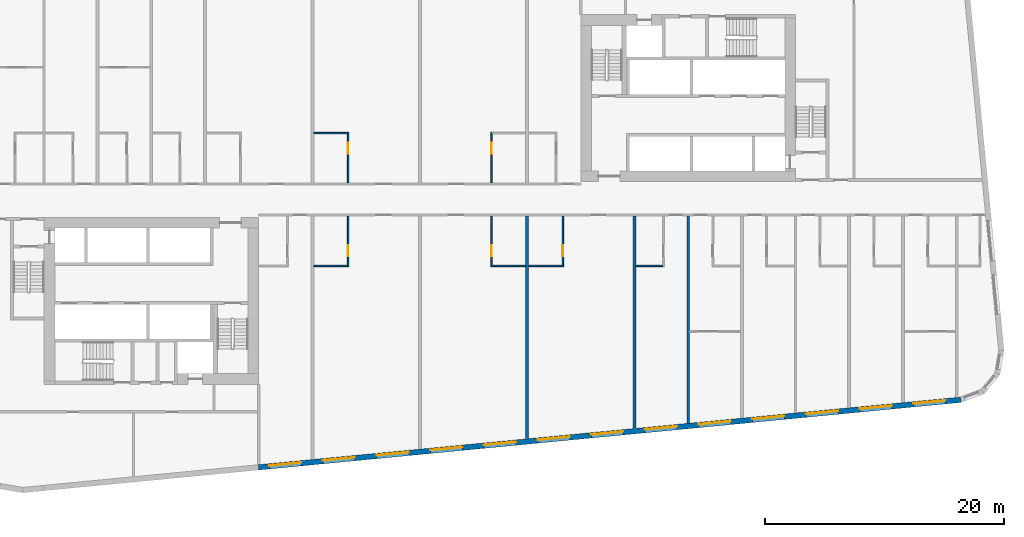
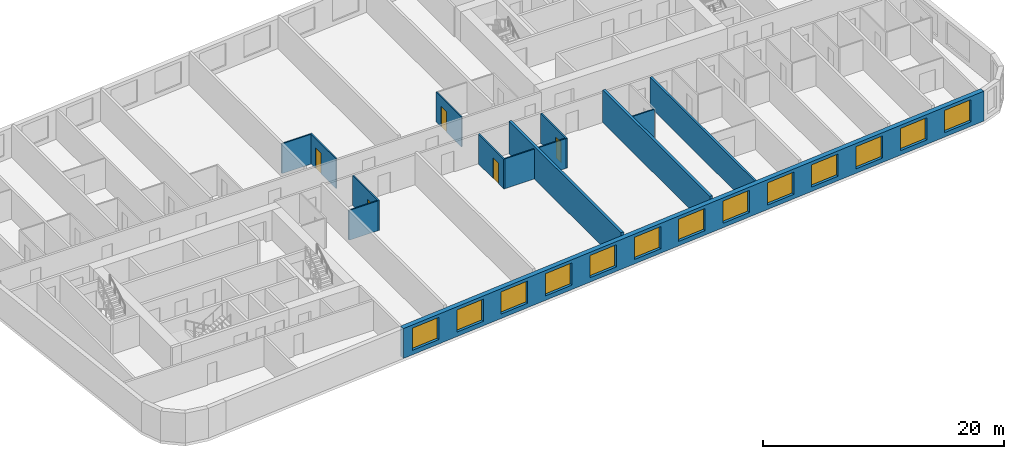
# One storey, part 4 of 12: 14 walls, 13 windows, 5 doors, 18 openings.
"""IFC4 building model written with IfcOpenShell, lengths in metres."""

from ifc_helpers import new_model, si_unit, direction, frame, frame_2d, origin, place, context, subcontext, project, spatial, rectangle, extrude, material, layer, layer_set, type_object, element, fill, save


model = new_model("IFC4")

# Units and contexts
model_context = context("Model", 3, precision=1e-05, world=origin(), true_north=direction((0.0, 1.0)))
body_context = subcontext(model_context, "Body", "Model", "MODEL_VIEW")
ifc_project = project(units=[si_unit("LENGTHUNIT", "METRE"), si_unit("AREAUNIT", "SQUARE_METRE"), si_unit("VOLUMEUNIT", "CUBIC_METRE"), si_unit("PLANEANGLEUNIT", "RADIAN"), si_unit("MASSUNIT", "GRAM", prefix="KILO")], contexts=[model_context])

# Site, building, storey
site_placement = place(None, origin())
site = spatial("IfcSite", under=ifc_project, at=site_placement, CompositionType="ELEMENT")
building_placement = place(site_placement, origin())
building = spatial("IfcBuilding", under=site, at=building_placement, Name="Kajstack Hotel Tower", CompositionType="ELEMENT")
storey_placement = place(building_placement, frame((0.0, 0.0, 127.300048828125)))
storey = spatial("IfcBuildingStorey", under=building, at=storey_placement, Name="L28", CompositionType="ELEMENT", Elevation=127.300048828125)

# Wall
ifc_material_1 = material(Name="Twin-frame gypsum board on steel studs, mineral wool", Category="steel")
ifc_layer_1 = layer(ifc_material_1, 0.199951171875)
ifc_layer_set_1 = layer_set([ifc_layer_1], Name="Demising wall 200")
wall_type_1 = type_object("IfcWallType", Name="Demising wall 200", PredefinedType="PARTITIONING", material=ifc_layer_set_1)
wall_1_placement = place(storey_placement, frame((22.5, -18.76611328125, 0.0), z_axis=(0.0, 0.0, 1.0), x_axis=(0.0, 1.0, 0.0)))
element("IfcWall", 1, at=wall_1_placement, inside=storey, type_object=wall_type_1, Name="G-wall-L28-035", PredefinedType="PARTITIONING", context=body_context, shape_type="SweptSolid", body=[
    extrude(rectangle(XDim=17.3662109375, YDim=0.199951171875, at=frame_2d((8.68310546875, 0.0))), origin(), (0.0, 0.0, 1.0), 3.02001953125),
])

# Wall, openings, windows
ifc_material_2 = material(Name="Terracotta-faced brick masonry", Category="masonry")
ifc_layer_2 = layer(ifc_material_2, 0.449951171875)
ifc_layer_set_2 = layer_set([ifc_layer_2], Name="EW-TERRA")
wall_type_2 = type_object("IfcWallType", Name="EW-TERRA", PredefinedType="SOLIDWALL", material=ifc_layer_set_2)
wall_2_placement = place(storey_placement, frame((-13.521484375, -22.46044921875, 0.0), z_axis=(0.0, 0.0, 1.0), x_axis=(0.995396096335, 0.095846812164, 0.0)))
wall_2 = element("IfcWall", 2, at=wall_2_placement, inside=storey, type_object=wall_type_2, Name="E-wall-L28-04-02", PredefinedType="SOLIDWALL", context=body_context, shape_type="SweptSolid", body=[
    extrude(rectangle(XDim=59.15087890625, YDim=0.449951171875, at=frame_2d((29.575439453125, 0.0))), origin(), (0.0, 0.0, 1.0), 3.02001953125),
])
opening_1_placement = place(wall_2_placement, frame((0.910400390625, 0.0, 0.449951171875)))
opening_1 = element("IfcOpeningElement", 3, at=opening_1_placement, cuts=wall_2, Name="Opening W1", PredefinedType="OPENING", context=body_context, shape_type="SweptSolid", body=[
    extrude(rectangle(XDim=2.699951171875, YDim=2.25, at=frame_2d((1.35009765625, 1.125))), frame((0.0, 0.23486328125, 0.0), z_axis=(0.0, -1.0, 0.0), x_axis=(1.0, 0.0, 0.0)), (0.0, 0.0, 1.0), 0.469970703125),
])
opening_2_placement = place(wall_2_placement, frame((5.43115234375, 0.0, 0.449951171875)))
opening_2 = element("IfcOpeningElement", 4, at=opening_2_placement, cuts=wall_2, Name="Opening W1", PredefinedType="OPENING", context=body_context, shape_type="SweptSolid", body=[
    extrude(rectangle(XDim=2.699951171875, YDim=2.25, at=frame_2d((1.35009765625, 1.125))), frame((0.0, 0.23486328125, 0.0), z_axis=(0.0, -1.0, 0.0), x_axis=(1.0, 0.0, 0.0)), (0.0, 0.0, 1.0), 0.469970703125),
])
opening_3_placement = place(wall_2_placement, frame((9.951904296875, 0.0, 0.449951171875)))
opening_3 = element("IfcOpeningElement", 5, at=opening_3_placement, cuts=wall_2, Name="Opening W1", PredefinedType="OPENING", context=body_context, shape_type="SweptSolid", body=[
    extrude(rectangle(XDim=2.699951171875, YDim=2.25, at=frame_2d((1.35009765625, 1.125))), frame((0.0, 0.23486328125, 0.0), z_axis=(0.0, -1.0, 0.0), x_axis=(1.0, 0.0, 0.0)), (0.0, 0.0, 1.0), 0.469970703125),
])
opening_4_placement = place(wall_2_placement, frame((14.472900390625, 0.0, 0.449951171875)))
opening_4 = element("IfcOpeningElement", 6, at=opening_4_placement, cuts=wall_2, Name="Opening W1", PredefinedType="OPENING", context=body_context, shape_type="SweptSolid", body=[
    extrude(rectangle(XDim=2.699951171875, YDim=2.25, at=frame_2d((1.35009765625, 1.125))), frame((0.0, 0.23486328125, 0.0), z_axis=(0.0, -1.0, 0.0), x_axis=(1.0, 0.0, 0.0)), (0.0, 0.0, 1.0), 0.469970703125),
])
opening_5_placement = place(wall_2_placement, frame((18.99365234375, 0.0, 0.449951171875)))
opening_5 = element("IfcOpeningElement", 7, at=opening_5_placement, cuts=wall_2, Name="Opening W1", PredefinedType="OPENING", context=body_context, shape_type="SweptSolid", body=[
    extrude(rectangle(XDim=2.699951171875, YDim=2.25, at=frame_2d((1.35009765625, 1.125))), frame((0.0, 0.23486328125, 0.0), z_axis=(0.0, -1.0, 0.0), x_axis=(1.0, 0.0, 0.0)), (0.0, 0.0, 1.0), 0.469970703125),
])
opening_6_placement = place(wall_2_placement, frame((23.514404296875, 0.0, 0.449951171875)))
opening_6 = element("IfcOpeningElement", 8, at=opening_6_placement, cuts=wall_2, Name="Opening W1", PredefinedType="OPENING", context=body_context, shape_type="SweptSolid", body=[
    extrude(rectangle(XDim=2.699951171875, YDim=2.25, at=frame_2d((1.35009765625, 1.125))), frame((0.0, 0.23486328125, 0.0), z_axis=(0.0, -1.0, 0.0), x_axis=(1.0, 0.0, 0.0)), (0.0, 0.0, 1.0), 0.469970703125),
])
opening_7_placement = place(wall_2_placement, frame((28.035400390625, 0.0, 0.449951171875)))
opening_7 = element("IfcOpeningElement", 9, at=opening_7_placement, cuts=wall_2, Name="Opening W1", PredefinedType="OPENING", context=body_context, shape_type="SweptSolid", body=[
    extrude(rectangle(XDim=2.699951171875, YDim=2.25, at=frame_2d((1.35009765625, 1.125))), frame((0.0, 0.23486328125, 0.0), z_axis=(0.0, -1.0, 0.0), x_axis=(1.0, 0.0, 0.0)), (0.0, 0.0, 1.0), 0.469970703125),
])
opening_8_placement = place(wall_2_placement, frame((32.55615234375, 0.0, 0.449951171875)))
opening_8 = element("IfcOpeningElement", 10, at=opening_8_placement, cuts=wall_2, Name="Opening W1", PredefinedType="OPENING", context=body_context, shape_type="SweptSolid", body=[
    extrude(rectangle(XDim=2.699951171875, YDim=2.25, at=frame_2d((1.35009765625, 1.125))), frame((0.0, 0.23486328125, 0.0), z_axis=(0.0, -1.0, 0.0), x_axis=(1.0, 0.0, 0.0)), (0.0, 0.0, 1.0), 0.469970703125),
])
opening_9_placement = place(wall_2_placement, frame((37.076904296875, 0.0, 0.449951171875)))
opening_9 = element("IfcOpeningElement", 11, at=opening_9_placement, cuts=wall_2, Name="Opening W1", PredefinedType="OPENING", context=body_context, shape_type="SweptSolid", body=[
    extrude(rectangle(XDim=2.699951171875, YDim=2.25, at=frame_2d((1.35009765625, 1.125))), frame((0.0, 0.23486328125, 0.0), z_axis=(0.0, -1.0, 0.0), x_axis=(1.0, 0.0, 0.0)), (0.0, 0.0, 1.0), 0.469970703125),
])
opening_10_placement = place(wall_2_placement, frame((41.59765625, 0.0, 0.449951171875)))
opening_10 = element("IfcOpeningElement", 12, at=opening_10_placement, cuts=wall_2, Name="Opening W1", PredefinedType="OPENING", context=body_context, shape_type="SweptSolid", body=[
    extrude(rectangle(XDim=2.699951171875, YDim=2.25, at=frame_2d((1.35009765625, 1.125))), frame((0.0, 0.23486328125, 0.0), z_axis=(0.0, -1.0, 0.0), x_axis=(1.0, 0.0, 0.0)), (0.0, 0.0, 1.0), 0.469970703125),
])
opening_11_placement = place(wall_2_placement, frame((46.118408203125, 0.0, 0.449951171875)))
opening_11 = element("IfcOpeningElement", 13, at=opening_11_placement, cuts=wall_2, Name="Opening W1", PredefinedType="OPENING", context=body_context, shape_type="SweptSolid", body=[
    extrude(rectangle(XDim=2.699951171875, YDim=2.25, at=frame_2d((1.35009765625, 1.125))), frame((0.0, 0.23486328125, 0.0), z_axis=(0.0, -1.0, 0.0), x_axis=(1.0, 0.0, 0.0)), (0.0, 0.0, 1.0), 0.469970703125),
])
opening_12_placement = place(wall_2_placement, frame((50.639404296875, 0.0, 0.449951171875)))
opening_12 = element("IfcOpeningElement", 14, at=opening_12_placement, cuts=wall_2, Name="Opening W1", PredefinedType="OPENING", context=body_context, shape_type="SweptSolid", body=[
    extrude(rectangle(XDim=2.699951171875, YDim=2.25, at=frame_2d((1.35009765625, 1.125))), frame((0.0, 0.23486328125, 0.0), z_axis=(0.0, -1.0, 0.0), x_axis=(1.0, 0.0, 0.0)), (0.0, 0.0, 1.0), 0.469970703125),
])
opening_13_placement = place(wall_2_placement, frame((55.149658203125, 0.0, 0.449951171875)))
opening_13 = element("IfcOpeningElement", 15, at=opening_13_placement, cuts=wall_2, Name="Opening W1", PredefinedType="OPENING", context=body_context, shape_type="SweptSolid", body=[
    extrude(rectangle(XDim=2.699951171875, YDim=2.25, at=frame_2d((1.35009765625, 1.125))), frame((0.0, 0.23486328125, 0.0), z_axis=(0.0, -1.0, 0.0), x_axis=(1.0, 0.0, 0.0)), (0.0, 0.0, 1.0), 0.469970703125),
])
ifc_material_3 = material(Name="Timber-aluminium window, triple glazed", Category="wood")
window_type = type_object("IfcWindowType", Name="WG1", PartitioningType="SINGLE_PANEL", PredefinedType="WINDOW", material=ifc_material_3)
window_1_placement = place(opening_1_placement, origin())
window_1 = element("IfcWindow", 16, at=window_1_placement, inside=storey, type_object=window_type, Name="Window W1 L28-04", OverallHeight=2.25, OverallWidth=2.699951171875, PartitioningType="SINGLE_PANEL", PredefinedType="WINDOW", context=body_context, shape_type="SweptSolid", body=[
    extrude(rectangle(XDim=2.699951171875, YDim=2.25, at=frame_2d((1.35009765625, 1.125))), frame((0.0, 0.090087890625, 0.0), z_axis=(0.0, -1.0, 0.0), x_axis=(1.0, 0.0, 0.0)), (0.0, 0.0, 1.0), 0.06005859375),
])
fill(opening_1, window_1)
window_2_placement = place(opening_2_placement, origin())
window_2 = element("IfcWindow", 17, at=window_2_placement, inside=storey, type_object=window_type, Name="Window W1 L28-04", OverallHeight=2.25, OverallWidth=2.699951171875, PartitioningType="SINGLE_PANEL", PredefinedType="WINDOW", context=body_context, shape_type="SweptSolid", body=[
    extrude(rectangle(XDim=2.699951171875, YDim=2.25, at=frame_2d((1.35009765625, 1.125))), frame((0.0, 0.090087890625, 0.0), z_axis=(0.0, -1.0, 0.0), x_axis=(1.0, 0.0, 0.0)), (0.0, 0.0, 1.0), 0.06005859375),
])
fill(opening_2, window_2)
window_3_placement = place(opening_3_placement, origin())
window_3 = element("IfcWindow", 18, at=window_3_placement, inside=storey, type_object=window_type, Name="Window W1 L28-04", OverallHeight=2.25, OverallWidth=2.699951171875, PartitioningType="SINGLE_PANEL", PredefinedType="WINDOW", context=body_context, shape_type="SweptSolid", body=[
    extrude(rectangle(XDim=2.699951171875, YDim=2.25, at=frame_2d((1.35009765625, 1.125))), frame((0.0, 0.090087890625, 0.0), z_axis=(0.0, -1.0, 0.0), x_axis=(1.0, 0.0, 0.0)), (0.0, 0.0, 1.0), 0.06005859375),
])
fill(opening_3, window_3)
window_4_placement = place(opening_4_placement, origin())
window_4 = element("IfcWindow", 19, at=window_4_placement, inside=storey, type_object=window_type, Name="Window W1 L28-04", OverallHeight=2.25, OverallWidth=2.699951171875, PartitioningType="SINGLE_PANEL", PredefinedType="WINDOW", context=body_context, shape_type="SweptSolid", body=[
    extrude(rectangle(XDim=2.699951171875, YDim=2.25, at=frame_2d((1.35009765625, 1.125))), frame((0.0, 0.090087890625, 0.0), z_axis=(0.0, -1.0, 0.0), x_axis=(1.0, 0.0, 0.0)), (0.0, 0.0, 1.0), 0.06005859375),
])
fill(opening_4, window_4)
window_5_placement = place(opening_5_placement, origin())
window_5 = element("IfcWindow", 20, at=window_5_placement, inside=storey, type_object=window_type, Name="Window W1 L28-04", OverallHeight=2.25, OverallWidth=2.699951171875, PartitioningType="SINGLE_PANEL", PredefinedType="WINDOW", context=body_context, shape_type="SweptSolid", body=[
    extrude(rectangle(XDim=2.699951171875, YDim=2.25, at=frame_2d((1.35009765625, 1.125))), frame((0.0, 0.090087890625, 0.0), z_axis=(0.0, -1.0, 0.0), x_axis=(1.0, 0.0, 0.0)), (0.0, 0.0, 1.0), 0.06005859375),
])
fill(opening_5, window_5)
window_6_placement = place(opening_6_placement, origin())
window_6 = element("IfcWindow", 21, at=window_6_placement, inside=storey, type_object=window_type, Name="Window W1 L28-04", OverallHeight=2.25, OverallWidth=2.699951171875, PartitioningType="SINGLE_PANEL", PredefinedType="WINDOW", context=body_context, shape_type="SweptSolid", body=[
    extrude(rectangle(XDim=2.699951171875, YDim=2.25, at=frame_2d((1.35009765625, 1.125))), frame((0.0, 0.090087890625, 0.0), z_axis=(0.0, -1.0, 0.0), x_axis=(1.0, 0.0, 0.0)), (0.0, 0.0, 1.0), 0.06005859375),
])
fill(opening_6, window_6)
window_7_placement = place(opening_7_placement, origin())
window_7 = element("IfcWindow", 22, at=window_7_placement, inside=storey, type_object=window_type, Name="Window W1 L28-04", OverallHeight=2.25, OverallWidth=2.699951171875, PartitioningType="SINGLE_PANEL", PredefinedType="WINDOW", context=body_context, shape_type="SweptSolid", body=[
    extrude(rectangle(XDim=2.699951171875, YDim=2.25, at=frame_2d((1.35009765625, 1.125))), frame((0.0, 0.090087890625, 0.0), z_axis=(0.0, -1.0, 0.0), x_axis=(1.0, 0.0, 0.0)), (0.0, 0.0, 1.0), 0.06005859375),
])
fill(opening_7, window_7)
window_8_placement = place(opening_8_placement, origin())
window_8 = element("IfcWindow", 23, at=window_8_placement, inside=storey, type_object=window_type, Name="Window W1 L28-04", OverallHeight=2.25, OverallWidth=2.699951171875, PartitioningType="SINGLE_PANEL", PredefinedType="WINDOW", context=body_context, shape_type="SweptSolid", body=[
    extrude(rectangle(XDim=2.699951171875, YDim=2.25, at=frame_2d((1.35009765625, 1.125))), frame((0.0, 0.090087890625, 0.0), z_axis=(0.0, -1.0, 0.0), x_axis=(1.0, 0.0, 0.0)), (0.0, 0.0, 1.0), 0.06005859375),
])
fill(opening_8, window_8)
window_9_placement = place(opening_9_placement, origin())
window_9 = element("IfcWindow", 24, at=window_9_placement, inside=storey, type_object=window_type, Name="Window W1 L28-04", OverallHeight=2.25, OverallWidth=2.699951171875, PartitioningType="SINGLE_PANEL", PredefinedType="WINDOW", context=body_context, shape_type="SweptSolid", body=[
    extrude(rectangle(XDim=2.699951171875, YDim=2.25, at=frame_2d((1.35009765625, 1.125))), frame((0.0, 0.090087890625, 0.0), z_axis=(0.0, -1.0, 0.0), x_axis=(1.0, 0.0, 0.0)), (0.0, 0.0, 1.0), 0.06005859375),
])
fill(opening_9, window_9)
window_10_placement = place(opening_10_placement, origin())
window_10 = element("IfcWindow", 25, at=window_10_placement, inside=storey, type_object=window_type, Name="Window W1 L28-04", OverallHeight=2.25, OverallWidth=2.699951171875, PartitioningType="SINGLE_PANEL", PredefinedType="WINDOW", context=body_context, shape_type="SweptSolid", body=[
    extrude(rectangle(XDim=2.699951171875, YDim=2.25, at=frame_2d((1.35009765625, 1.125))), frame((0.0, 0.090087890625, 0.0), z_axis=(0.0, -1.0, 0.0), x_axis=(1.0, 0.0, 0.0)), (0.0, 0.0, 1.0), 0.06005859375),
])
fill(opening_10, window_10)
window_11_placement = place(opening_11_placement, origin())
window_11 = element("IfcWindow", 26, at=window_11_placement, inside=storey, type_object=window_type, Name="Window W1 L28-04", OverallHeight=2.25, OverallWidth=2.699951171875, PartitioningType="SINGLE_PANEL", PredefinedType="WINDOW", context=body_context, shape_type="SweptSolid", body=[
    extrude(rectangle(XDim=2.699951171875, YDim=2.25, at=frame_2d((1.35009765625, 1.125))), frame((0.0, 0.090087890625, 0.0), z_axis=(0.0, -1.0, 0.0), x_axis=(1.0, 0.0, 0.0)), (0.0, 0.0, 1.0), 0.06005859375),
])
fill(opening_11, window_11)
window_12_placement = place(opening_12_placement, origin())
window_12 = element("IfcWindow", 27, at=window_12_placement, inside=storey, type_object=window_type, Name="Window W1 L28-04", OverallHeight=2.25, OverallWidth=2.699951171875, PartitioningType="SINGLE_PANEL", PredefinedType="WINDOW", context=body_context, shape_type="SweptSolid", body=[
    extrude(rectangle(XDim=2.699951171875, YDim=2.25, at=frame_2d((1.35009765625, 1.125))), frame((0.0, 0.090087890625, 0.0), z_axis=(0.0, -1.0, 0.0), x_axis=(1.0, 0.0, 0.0)), (0.0, 0.0, 1.0), 0.06005859375),
])
fill(opening_12, window_12)
window_13_placement = place(opening_13_placement, origin())
window_13 = element("IfcWindow", 28, at=window_13_placement, inside=storey, type_object=window_type, Name="Window W1 L28-04", OverallHeight=2.25, OverallWidth=2.699951171875, PartitioningType="SINGLE_PANEL", PredefinedType="WINDOW", context=body_context, shape_type="SweptSolid", body=[
    extrude(rectangle(XDim=2.699951171875, YDim=2.25, at=frame_2d((1.35009765625, 1.125))), frame((0.0, 0.090087890625, 0.0), z_axis=(0.0, -1.0, 0.0), x_axis=(1.0, 0.0, 0.0)), (0.0, 0.0, 1.0), 0.06005859375),
])
fill(opening_13, window_13)

# Wall, opening, door
ifc_material_4 = material(Name="Gypsum board and tiled backer on steel studs", Category="steel")
ifc_layer_3 = layer(ifc_material_4, 0.125)
ifc_layer_set_3 = layer_set([ifc_layer_3], Name="En-suite wall 125")
wall_type_3 = type_object("IfcWallType", Name="En-suite wall 125", PredefinedType="PARTITIONING", material=ifc_layer_set_3)
wall_3_placement = place(storey_placement, frame((-6.012939453125, 1.39990234375, 0.0), z_axis=(0.0, 0.0, 1.0), x_axis=(0.0, 1.0, 0.0)))
wall_3 = element("IfcWall", 29, at=wall_3_placement, inside=storey, type_object=wall_type_3, Name="G-wall-L28-020", PredefinedType="PARTITIONING", context=body_context, shape_type="SweptSolid", body=[
    extrude(rectangle(XDim=4.22509765625, YDim=0.125, at=frame_2d((2.112548828125, 0.0))), origin(), (0.0, 0.0, 1.0), 3.02001953125),
])
opening_14_placement = place(wall_3_placement, frame((2.449951171875, 0.0, 0.0)))
opening_14 = element("IfcOpeningElement", 30, at=opening_14_placement, cuts=wall_3, Name="Opening 28016", PredefinedType="OPENING", context=body_context, shape_type="SweptSolid", body=[
    extrude(rectangle(XDim=0.89990234375, YDim=2.10009765625, at=frame_2d((0.449951171875, 1.050048828125))), frame((0.0, 0.072509765625, 0.0), z_axis=(0.0, -1.0, 0.0), x_axis=(1.0, 0.0, 0.0)), (0.0, 0.0, 1.0), 0.14501953125),
])
ifc_material_5 = material(Name="Painted timber door leaf", Category="wood")
door_type = type_object("IfcDoorType", Name="Room door 900", OperationType="SINGLE_SWING_LEFT", PredefinedType="DOOR", material=ifc_material_5)
door_1_placement = place(opening_14_placement, origin())
door_1 = element("IfcDoor", 31, at=door_1_placement, inside=storey, type_object=door_type, Name="G-door-L28-16", OperationType="SINGLE_SWING_RIGHT", OverallHeight=2.10009765625, OverallWidth=0.89990234375, PredefinedType="DOOR", context=body_context, shape_type="SweptSolid", body=[
    extrude(rectangle(XDim=0.89990234375, YDim=2.10009765625, at=frame_2d((0.449951171875, 1.050048828125))), frame((0.0, 0.02490234375, 0.0), z_axis=(0.0, -1.0, 0.0), x_axis=(1.0, 0.0, 0.0)), (0.0, 0.0, 1.0), 0.050048828125),
])
fill(opening_14, door_1)

# Wall
wall_4_placement = place(storey_placement, frame((-8.875, 5.56201171875, 0.0), z_axis=(0.0, 0.0, 1.0), x_axis=(1.0, 0.0, 0.0)))
element("IfcWall", 32, at=wall_4_placement, inside=storey, type_object=wall_type_3, Name="G-wall-L28-021", PredefinedType="PARTITIONING", context=body_context, shape_type="SweptSolid", body=[
    extrude(rectangle(XDim=2.800048828125, YDim=0.125, at=frame_2d((1.39990234375, 0.0))), origin(), (0.0, 0.0, 1.0), 3.02001953125),
])

# Wall, opening, door
wall_5_placement = place(storey_placement, frame((6.012939453125, 1.39990234375, 0.0), z_axis=(0.0, 0.0, 1.0), x_axis=(0.0, 1.0, 0.0)))
wall_5 = element("IfcWall", 33, at=wall_5_placement, inside=storey, type_object=wall_type_3, Name="G-wall-L28-022", PredefinedType="PARTITIONING", context=body_context, shape_type="SweptSolid", body=[
    extrude(rectangle(XDim=4.22509765625, YDim=0.125, at=frame_2d((2.112548828125, 0.0))), origin(), (0.0, 0.0, 1.0), 3.02001953125),
])
opening_15_placement = place(wall_5_placement, frame((2.449951171875, 0.0, 0.0)))
opening_15 = element("IfcOpeningElement", 34, at=opening_15_placement, cuts=wall_5, Name="Opening 28018", PredefinedType="OPENING", context=body_context, shape_type="SweptSolid", body=[
    extrude(rectangle(XDim=0.89990234375, YDim=2.10009765625, at=frame_2d((0.449951171875, 1.050048828125))), frame((0.0, 0.072509765625, 0.0), z_axis=(0.0, -1.0, 0.0), x_axis=(1.0, 0.0, 0.0)), (0.0, 0.0, 1.0), 0.14501953125),
])
door_2_placement = place(opening_15_placement, origin())
door_2 = element("IfcDoor", 35, at=door_2_placement, inside=storey, type_object=door_type, Name="G-door-L28-18", OperationType="SINGLE_SWING_LEFT", OverallHeight=2.10009765625, OverallWidth=0.89990234375, PredefinedType="DOOR", context=body_context, shape_type="SweptSolid", body=[
    extrude(rectangle(XDim=0.89990234375, YDim=2.10009765625, at=frame_2d((0.449951171875, 1.050048828125))), frame((0.0, 0.02490234375, 0.0), z_axis=(0.0, -1.0, 0.0), x_axis=(1.0, 0.0, 0.0)), (0.0, 0.0, 1.0), 0.050048828125),
])
fill(opening_15, door_2)

wall_6_placement = place(storey_placement, frame((-6.012939453125, -5.625, 0.0), z_axis=(0.0, 0.0, 1.0), x_axis=(0.0, 1.0, 0.0)))
wall_6 = element("IfcWall", 36, at=wall_6_placement, inside=storey, type_object=wall_type_3, Name="G-wall-L28-029", PredefinedType="PARTITIONING", context=body_context, shape_type="SweptSolid", body=[
    extrude(rectangle(XDim=4.22509765625, YDim=0.125, at=frame_2d((2.112548828125, 0.0))), origin(), (0.0, 0.0, 1.0), 3.02001953125),
])
opening_16_placement = place(wall_6_placement, frame((0.875, 0.0, 0.0)))
opening_16 = element("IfcOpeningElement", 37, at=opening_16_placement, cuts=wall_6, Name="Opening 28024", PredefinedType="OPENING", context=body_context, shape_type="SweptSolid", body=[
    extrude(rectangle(XDim=0.89990234375, YDim=2.10009765625, at=frame_2d((0.449951171875, 1.050048828125))), frame((0.0, 0.072509765625, 0.0), z_axis=(0.0, -1.0, 0.0), x_axis=(1.0, 0.0, 0.0)), (0.0, 0.0, 1.0), 0.14501953125),
])
door_3_placement = place(opening_16_placement, origin())
door_3 = element("IfcDoor", 38, at=door_3_placement, inside=storey, type_object=door_type, Name="G-door-L28-24", OperationType="SINGLE_SWING_LEFT", OverallHeight=2.10009765625, OverallWidth=0.89990234375, PredefinedType="DOOR", context=body_context, shape_type="SweptSolid", body=[
    extrude(rectangle(XDim=0.89990234375, YDim=2.10009765625, at=frame_2d((0.449951171875, 1.050048828125))), frame((0.0, 0.02490234375, 0.0), z_axis=(0.0, -1.0, 0.0), x_axis=(1.0, 0.0, 0.0)), (0.0, 0.0, 1.0), 0.050048828125),
])
fill(opening_16, door_3)

# Wall
wall_7_placement = place(storey_placement, frame((-8.875, -5.56201171875, 0.0), z_axis=(0.0, 0.0, 1.0), x_axis=(1.0, 0.0, 0.0)))
element("IfcWall", 39, at=wall_7_placement, inside=storey, type_object=wall_type_3, Name="G-wall-L28-030", PredefinedType="PARTITIONING", context=body_context, shape_type="SweptSolid", body=[
    extrude(rectangle(XDim=2.800048828125, YDim=0.125, at=frame_2d((1.39990234375, 0.0))), origin(), (0.0, 0.0, 1.0), 3.02001953125),
])

# Wall, opening, door
wall_8_placement = place(storey_placement, frame((6.012939453125, -5.625, 0.0), z_axis=(0.0, 0.0, 1.0), x_axis=(0.0, 1.0, 0.0)))
wall_8 = element("IfcWall", 40, at=wall_8_placement, inside=storey, type_object=wall_type_3, Name="G-wall-L28-031", PredefinedType="PARTITIONING", context=body_context, shape_type="SweptSolid", body=[
    extrude(rectangle(XDim=4.22509765625, YDim=0.125, at=frame_2d((2.112548828125, 0.0))), origin(), (0.0, 0.0, 1.0), 3.02001953125),
])
opening_17_placement = place(wall_8_placement, frame((0.875, 0.0, 0.0)))
opening_17 = element("IfcOpeningElement", 41, at=opening_17_placement, cuts=wall_8, Name="Opening 28026", PredefinedType="OPENING", context=body_context, shape_type="SweptSolid", body=[
    extrude(rectangle(XDim=0.89990234375, YDim=2.10009765625, at=frame_2d((0.449951171875, 1.050048828125))), frame((0.0, 0.072509765625, 0.0), z_axis=(0.0, -1.0, 0.0), x_axis=(1.0, 0.0, 0.0)), (0.0, 0.0, 1.0), 0.14501953125),
])
door_4_placement = place(opening_17_placement, origin())
door_4 = element("IfcDoor", 42, at=door_4_placement, inside=storey, type_object=door_type, Name="G-door-L28-26", OperationType="SINGLE_SWING_RIGHT", OverallHeight=2.10009765625, OverallWidth=0.89990234375, PredefinedType="DOOR", context=body_context, shape_type="SweptSolid", body=[
    extrude(rectangle(XDim=0.89990234375, YDim=2.10009765625, at=frame_2d((0.449951171875, 1.050048828125))), frame((0.0, 0.02490234375, 0.0), z_axis=(0.0, -1.0, 0.0), x_axis=(1.0, 0.0, 0.0)), (0.0, 0.0, 1.0), 0.050048828125),
])
fill(opening_17, door_4)

# Wall
wall_9_placement = place(storey_placement, frame((6.074951171875, -5.56201171875, 0.0), z_axis=(0.0, 0.0, 1.0), x_axis=(1.0, 0.0, 0.0)))
element("IfcWall", 43, at=wall_9_placement, inside=storey, type_object=wall_type_3, Name="G-wall-L28-032", PredefinedType="PARTITIONING", context=body_context, shape_type="SweptSolid", body=[
    extrude(rectangle(XDim=2.800048828125, YDim=0.125, at=frame_2d((1.39990234375, 0.0))), origin(), (0.0, 0.0, 1.0), 3.02001953125),
])

# Wall, opening, door
wall_10_placement = place(storey_placement, frame((11.988037109375, -5.625, 0.0), z_axis=(0.0, 0.0, 1.0), x_axis=(0.0, 1.0, 0.0)))
wall_10 = element("IfcWall", 44, at=wall_10_placement, inside=storey, type_object=wall_type_3, Name="G-wall-L28-033", PredefinedType="PARTITIONING", context=body_context, shape_type="SweptSolid", body=[
    extrude(rectangle(XDim=4.22509765625, YDim=0.125, at=frame_2d((2.112548828125, 0.0))), origin(), (0.0, 0.0, 1.0), 3.02001953125),
])
opening_18_placement = place(wall_10_placement, frame((0.875, 0.0, 0.0)))
opening_18 = element("IfcOpeningElement", 45, at=opening_18_placement, cuts=wall_10, Name="Opening 28028", PredefinedType="OPENING", context=body_context, shape_type="SweptSolid", body=[
    extrude(rectangle(XDim=0.89990234375, YDim=2.10009765625, at=frame_2d((0.449951171875, 1.050048828125))), frame((0.0, 0.072509765625, 0.0), z_axis=(0.0, -1.0, 0.0), x_axis=(1.0, 0.0, 0.0)), (0.0, 0.0, 1.0), 0.14501953125),
])
door_5_placement = place(opening_18_placement, origin())
door_5 = element("IfcDoor", 46, at=door_5_placement, inside=storey, type_object=door_type, Name="G-door-L28-28", OperationType="SINGLE_SWING_LEFT", OverallHeight=2.10009765625, OverallWidth=0.89990234375, PredefinedType="DOOR", context=body_context, shape_type="SweptSolid", body=[
    extrude(rectangle(XDim=0.89990234375, YDim=2.10009765625, at=frame_2d((0.449951171875, 1.050048828125))), frame((0.0, 0.02490234375, 0.0), z_axis=(0.0, -1.0, 0.0), x_axis=(1.0, 0.0, 0.0)), (0.0, 0.0, 1.0), 0.050048828125),
])
fill(opening_18, door_5)

# Walls
wall_11_placement = place(storey_placement, frame((9.125, -5.56201171875, 0.0), z_axis=(0.0, 0.0, 1.0), x_axis=(1.0, 0.0, 0.0)))
element("IfcWall", 47, at=wall_11_placement, inside=storey, type_object=wall_type_3, Name="G-wall-L28-034", PredefinedType="PARTITIONING", context=body_context, shape_type="SweptSolid", body=[
    extrude(rectangle(XDim=2.800048828125, YDim=0.125, at=frame_2d((1.39990234375, 0.0))), origin(), (0.0, 0.0, 1.0), 3.02001953125),
])
wall_12_placement = place(storey_placement, frame((18.125, -5.56201171875, 0.0), z_axis=(0.0, 0.0, 1.0), x_axis=(1.0, 0.0, 0.0)))
element("IfcWall", 48, at=wall_12_placement, inside=storey, type_object=wall_type_3, Name="G-wall-L28-037", PredefinedType="PARTITIONING", context=body_context, shape_type="SweptSolid", body=[
    extrude(rectangle(XDim=2.25, YDim=0.125, at=frame_2d((1.125, 0.0))), origin(), (0.0, 0.0, 1.0), 3.02001953125),
])
ifc_material_6 = material(Name="Concrete C55/67", Category="concrete")
ifc_layer_4 = layer(ifc_material_6, 0.25)
ifc_layer_set_4 = layer_set([ifc_layer_4], Name="RC cross wall 250 C55/67")
wall_type_4 = type_object("IfcWallType", Name="RC cross wall 250 C55/67", PredefinedType="SHEAR", material=ifc_layer_set_4)
wall_13_placement = place(storey_placement, frame((9.0, -20.043701171875, 0.0), z_axis=(0.0, 0.0, 1.0), x_axis=(0.0, 1.0, 0.0)))
element("IfcWall", 49, at=wall_13_placement, inside=storey, type_object=wall_type_4, Name="S-wall-L28-08", PredefinedType="SHEAR", context=body_context, shape_type="SweptSolid", body=[
    extrude(rectangle(XDim=18.643798828125, YDim=0.25, at=frame_2d((9.32177734375, 0.0))), origin(), (0.0, 0.0, 1.0), 3.300048828125),
])
wall_14_placement = place(storey_placement, frame((18.0, -19.17724609375, 0.0), z_axis=(0.0, 0.0, 1.0), x_axis=(0.0, 1.0, 0.0)))
element("IfcWall", 50, at=wall_14_placement, inside=storey, type_object=wall_type_4, Name="S-wall-L28-10", PredefinedType="SHEAR", context=body_context, shape_type="SweptSolid", body=[
    extrude(rectangle(XDim=17.77734375, YDim=0.25, at=frame_2d((8.888671875, 0.0))), origin(), (0.0, 0.0, 1.0), 3.300048828125),
])

save(model, "model.ifc")
